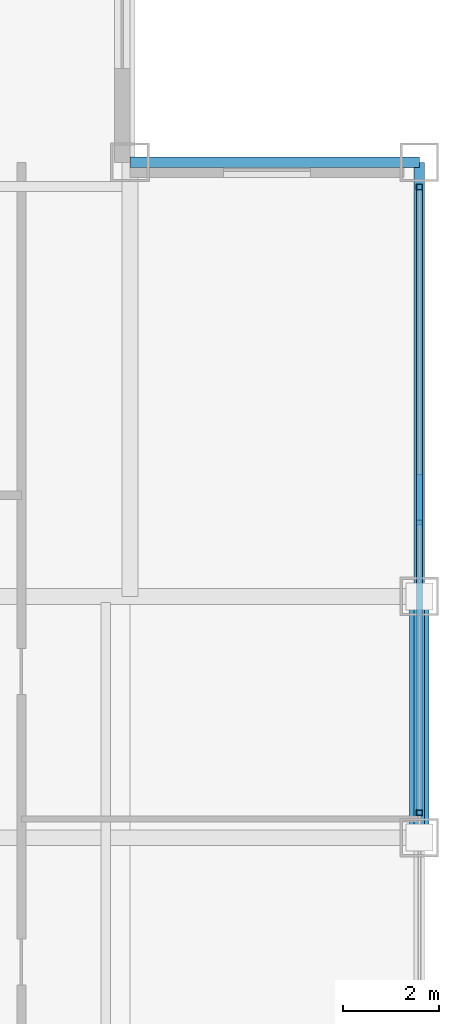
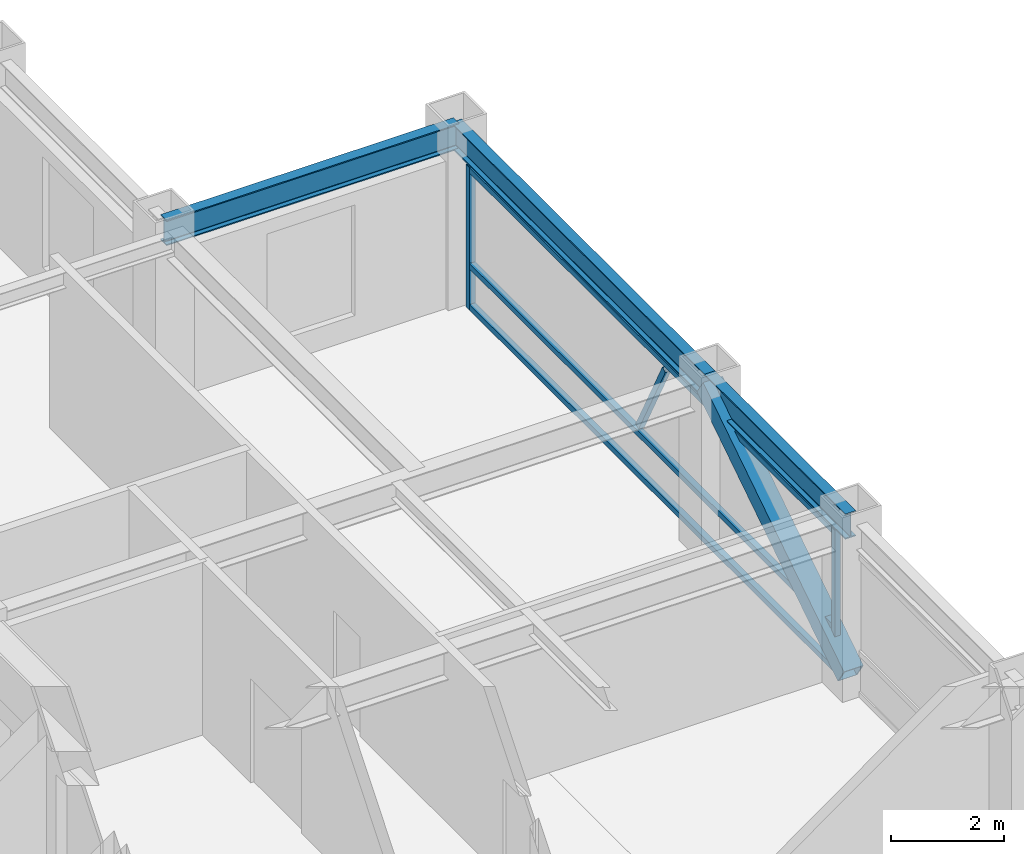
# One storey, part 22 of 29: 7 members, 3 beams, 1 element without a shape of its own.
"""IFC4 building model written with IfcOpenShell, lengths in metres."""

from ifc_helpers import new_model, si_unit, direction, frame, origin, origin_2d, place, context, subcontext, project, spatial, hollow_rectangle, i_section, extrude, source, transform, mapped, material, material_profile, profile_set, type_object, element, aggregate, save


model = new_model("IFC4")

# Units and contexts
model_context = context("Model", 3, precision=1e-05, world=origin(), true_north=direction((0.0, 1.0)))
body_context = subcontext(model_context, "Body", "Model", "MODEL_VIEW")
ifc_project = project(units=[si_unit("LENGTHUNIT", "METRE"), si_unit("AREAUNIT", "SQUARE_METRE"), si_unit("VOLUMEUNIT", "CUBIC_METRE"), si_unit("PLANEANGLEUNIT", "RADIAN"), si_unit("MASSUNIT", "GRAM", prefix="KILO")], contexts=[model_context])

# Site, building, storey
site_placement = place(None, origin())
site = spatial("IfcSite", under=ifc_project, at=site_placement, CompositionType="ELEMENT")
building_placement = place(site_placement, origin())
building = spatial("IfcBuilding", under=site, at=building_placement, Name="Khorayat Bourse Tower", CompositionType="ELEMENT")
storey_placement = place(building_placement, frame((0.0, 0.0, 346.300048828125)))
storey = spatial("IfcBuildingStorey", under=building, at=storey_placement, Name="L82", CompositionType="ELEMENT", Elevation=346.300048828125)

# Beams
ifc_material_1 = material(Name="Steel ASTM A992 Grade 50", Category="steel")
ifc_material_profile_1 = material_profile(ifc_material_1, i_section(OverallWidth=0.214111328125, OverallDepth=0.549072265625, WebThickness=0.0146484375, FlangeThickness=0.023681640625, FilletRadius=0.013916015625, at=origin_2d()), Name="W530X138")
ifc_profile_set_1 = profile_set([ifc_material_profile_1], Name="Steel ASTM A992 Grade 50")
beam_type = type_object("IfcBeamType", Name="BM-SPAN-530", PredefinedType="SPANDREL", material=ifc_profile_set_1)
shared_shape_1 = source(origin(), body_context, "Body", "SweptSolid", [
    extrude(i_section(OverallWidth=0.214111328125, OverallDepth=0.549072265625, WebThickness=0.0146484375, FlangeThickness=0.023681640625, FilletRadius=0.013916015625, at=origin_2d()), origin(), (0.0, 0.0, 1.0), 9.0),
])
beam_1_placement = place(storey_placement, frame((26.0, 11.0, 3.46533203125), z_axis=(0.0, 1.0, 0.0), x_axis=(-1.0, 0.0, 0.0)))
element("IfcBeam", 1, at=beam_1_placement, inside=storey, type_object=beam_type, Name="L82 BM-SPAN-530 BM-L82-SPN-034", PredefinedType="SPANDREL", context=body_context, shape_type="MappedRepresentation", body=[
    mapped(shared_shape_1, transform((0.0, 0.0, 0.0), scale=1.0)),
])
shared_shape_2 = source(origin(), body_context, "Body", "SweptSolid", [
    extrude(i_section(OverallWidth=0.214111328125, OverallDepth=0.549072265625, WebThickness=0.0146484375, FlangeThickness=0.023681640625, FilletRadius=0.013916015625, at=origin_2d()), origin(), (0.0, 0.0, 1.0), 5.0),
])
beam_2_placement = place(storey_placement, frame((26.0, 6.0, 3.46533203125), z_axis=(0.0, 1.0, 0.0), x_axis=(-1.0, 0.0, 0.0)))
element("IfcBeam", 2, at=beam_2_placement, inside=storey, type_object=beam_type, Name="L82 BM-SPAN-530 BM-L82-SPN-033", PredefinedType="SPANDREL", context=body_context, shape_type="MappedRepresentation", body=[
    mapped(shared_shape_2, transform((0.0, 0.0, 0.0), scale=1.0)),
])
shared_shape_3 = source(origin(), body_context, "Body", "SweptSolid", [
    extrude(i_section(OverallWidth=0.214111328125, OverallDepth=0.549072265625, WebThickness=0.0146484375, FlangeThickness=0.023681640625, FilletRadius=0.013916015625, at=origin_2d()), origin(), (0.0, 0.0, 1.0), 6.0),
])
beam_3_placement = place(storey_placement, frame((20.0, 20.0, 3.46533203125), z_axis=(1.0, 0.0, 0.0), x_axis=(0.0, 1.0, 0.0)))
element("IfcBeam", 3, at=beam_3_placement, inside=storey, type_object=beam_type, Name="L82 BM-SPAN-530 BM-L82-SPN-035", PredefinedType="SPANDREL", context=body_context, shape_type="MappedRepresentation", body=[
    mapped(shared_shape_3, transform((0.0, 0.0, 0.0), scale=1.0)),
])

# Member
ifc_material_2 = material(Name="Steel EN 10025-4 S460M", Category="steel")
ifc_material_profile_2 = material_profile(ifc_material_2, hollow_rectangle(XDim=0.39990234375, YDim=0.39990234375, WallThickness=0.02197265625, at=origin_2d()), Name="HSS 400x400x22")
ifc_profile_set_2 = profile_set([ifc_material_profile_2], Name="Steel EN 10025-4 S460M")
member_type_1 = type_object("IfcMemberType", Name="MBR-TUBE-400", PredefinedType="BRACE", material=ifc_profile_set_2)
shared_shape_4 = source(origin(), body_context, "Body", "SweptSolid", [
    extrude(hollow_rectangle(XDim=0.39990234375, YDim=0.39990234375, WallThickness=0.02197265625, at=origin_2d()), origin(), (0.0, 0.0, 1.0), 5.9580078125),
])
member_1_placement = place(storey_placement, frame((26.0, 6.0, 0.25), z_axis=(0.0, 0.839210474455, 0.543806748364), x_axis=(-1.0, 0.0, 0.0)))
element("IfcMember", 4, at=member_1_placement, inside=storey, type_object=member_type_1, Name="L82 Perimeter Tube Brace 08", PredefinedType="BRACE", context=body_context, shape_type="MappedRepresentation", body=[
    mapped(shared_shape_4, transform((0.0, 0.0, 0.0), scale=1.0)),
])

# Curtain wall, members
ifc_material_3 = material(Name="Aluminium EN AW-6063 T6", Category="aluminium")
curtain_wall_type = type_object("IfcCurtainWallType", Name="CW-SYS-06", PredefinedType="NOTDEFINED", material=ifc_material_3)
curtain_wall_placement = place(storey_placement, origin())
curtain_wall = element("IfcCurtainWall", 5, at=curtain_wall_placement, inside=storey, type_object=curtain_wall_type, Name="L82 Curtain Wall CW-L82-E1", PredefinedType="NOTDEFINED")
ifc_material_profile_3 = material_profile(ifc_material_3, hollow_rectangle(XDim=0.1201171875, YDim=0.1201171875, WallThickness=0.0048828125, at=origin_2d()), Name="ALU 120x120x5")
ifc_profile_set_3 = profile_set([ifc_material_profile_3], Name="Aluminium EN AW-6063 T6")
member_type_2 = type_object("IfcMemberType", Name="CWM-VERT-120", PredefinedType="MULLION", material=ifc_profile_set_3)
shared_shape_5 = source(origin(), body_context, "Body", "SweptSolid", [
    extrude(hollow_rectangle(XDim=0.1201171875, YDim=0.1201171875, WallThickness=0.0048828125, at=origin_2d()), origin(), (0.0, 0.0, 1.0), 3.08984375),
])
member_2_placement = place(storey_placement, frame((26.0, 6.5166015625, 0.0), z_axis=(0.0, 0.0, 1.0), x_axis=(-1.0, 0.0, 0.0)))
member_2 = element("IfcMember", 6, at=member_2_placement, type_object=member_type_2, Name="CW-L82-E1 Vertical Mullion 3", PredefinedType="MULLION", context=body_context, shape_type="MappedRepresentation", body=[
    mapped(shared_shape_5, transform((0.0, 0.0, 0.0), scale=1.0)),
])
member_3_placement = place(storey_placement, frame((26.0, 19.489990234375, 0.0), z_axis=(0.0, 0.0, 1.0), x_axis=(-1.0, 0.0, 0.0)))
member_3 = element("IfcMember", 7, at=member_3_placement, type_object=member_type_2, Name="CW-L82-E1 Vertical Mullion 4", PredefinedType="MULLION", context=body_context, shape_type="MappedRepresentation", body=[
    mapped(shared_shape_5, transform((0.0, 0.0, 0.0), scale=1.0)),
])
ifc_material_profile_4 = material_profile(ifc_material_3, hollow_rectangle(XDim=0.1201171875, YDim=0.1201171875, WallThickness=0.0048828125, at=origin_2d()), Name="ALU 120x120x5")
ifc_profile_set_4 = profile_set([ifc_material_profile_4], Name="Aluminium EN AW-6063 T6")
member_type_3 = type_object("IfcMemberType", Name="CWM-DIAG-120", PredefinedType="MULLION", material=ifc_profile_set_4)
shared_shape_6 = source(origin(), body_context, "Body", "SweptSolid", [
    extrude(hollow_rectangle(XDim=0.1201171875, YDim=0.1201171875, WallThickness=0.0048828125, at=origin_2d()), origin(), (0.0, 0.0, 1.0), 2.0341796875),
])
member_4_placement = place(storey_placement, frame((26.0, 13.47705078125, 1.08984375), z_axis=(0.0, -0.465790950955, 0.884894790361), x_axis=(1.0, 0.0, 0.0)))
member_4 = element("IfcMember", 8, at=member_4_placement, type_object=member_type_3, Name="CW-L82-E1 Faceted Diagonal Mullion 3", PredefinedType="MULLION", context=body_context, shape_type="MappedRepresentation", body=[
    mapped(shared_shape_6, transform((0.0, 0.0, 0.0), scale=1.0)),
])
ifc_material_profile_5 = material_profile(ifc_material_3, hollow_rectangle(XDim=0.1201171875, YDim=0.1201171875, WallThickness=0.0048828125, at=origin_2d()), Name="ALU 120x120x5")
ifc_profile_set_5 = profile_set([ifc_material_profile_5], Name="Aluminium EN AW-6063 T6")
member_type_4 = type_object("IfcMemberType", Name="CWT-HORZ-120", PredefinedType="USERDEFINED", material=ifc_profile_set_5)
shared_shape_7 = source(origin(), body_context, "Body", "SweptSolid", [
    extrude(hollow_rectangle(XDim=0.1201171875, YDim=0.1201171875, WallThickness=0.0048828125, at=origin_2d()), origin(), (0.0, 0.0, 1.0), 12.853271484375),
])
member_5_placement = place(storey_placement, frame((26.0, 6.57666015625, 0.06005859375), z_axis=(0.0, 1.0, 0.0), x_axis=(-1.0, 0.0, 0.0)))
member_5 = element("IfcMember", 9, at=member_5_placement, type_object=member_type_4, Name="CW-L82-E1 Horizontal Transom 3-1", ObjectType="TRANSOM", PredefinedType="USERDEFINED", context=body_context, shape_type="MappedRepresentation", body=[
    mapped(shared_shape_7, transform((0.0, 0.0, 0.0), scale=1.0)),
])
member_6_placement = place(storey_placement, frame((26.0, 6.57666015625, 0.949951171875), z_axis=(0.0, 1.0, 0.0), x_axis=(-1.0, 0.0, 0.0)))
member_6 = element("IfcMember", 10, at=member_6_placement, type_object=member_type_4, Name="CW-L82-E1 Horizontal Transom 3-2", ObjectType="TRANSOM", PredefinedType="USERDEFINED", context=body_context, shape_type="MappedRepresentation", body=[
    mapped(shared_shape_7, transform((0.0, 0.0, 0.0), scale=1.0)),
])
member_7_placement = place(storey_placement, frame((26.0, 6.57666015625, 3.030029296875), z_axis=(0.0, 1.0, 0.0), x_axis=(-1.0, 0.0, 0.0)))
member_7 = element("IfcMember", 11, at=member_7_placement, type_object=member_type_4, Name="CW-L82-E1 Horizontal Transom 3-3", ObjectType="TRANSOM", PredefinedType="USERDEFINED", context=body_context, shape_type="MappedRepresentation", body=[
    mapped(shared_shape_7, transform((0.0, 0.0, 0.0), scale=1.0)),
])
aggregate(curtain_wall, [member_2, member_3, member_5, member_6, member_7, member_4])

save(model, "model.ifc")
